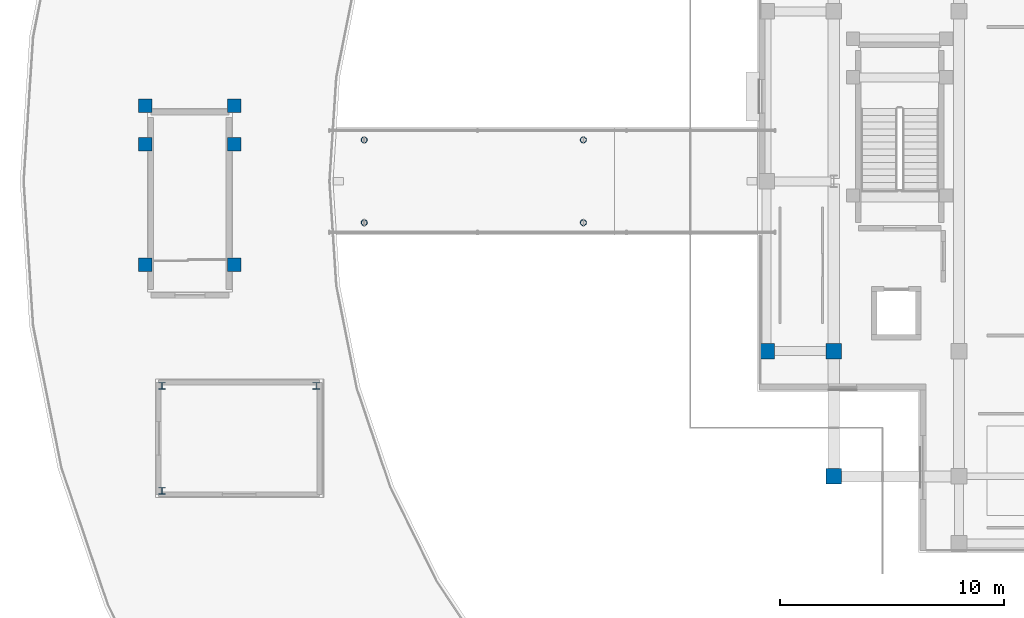
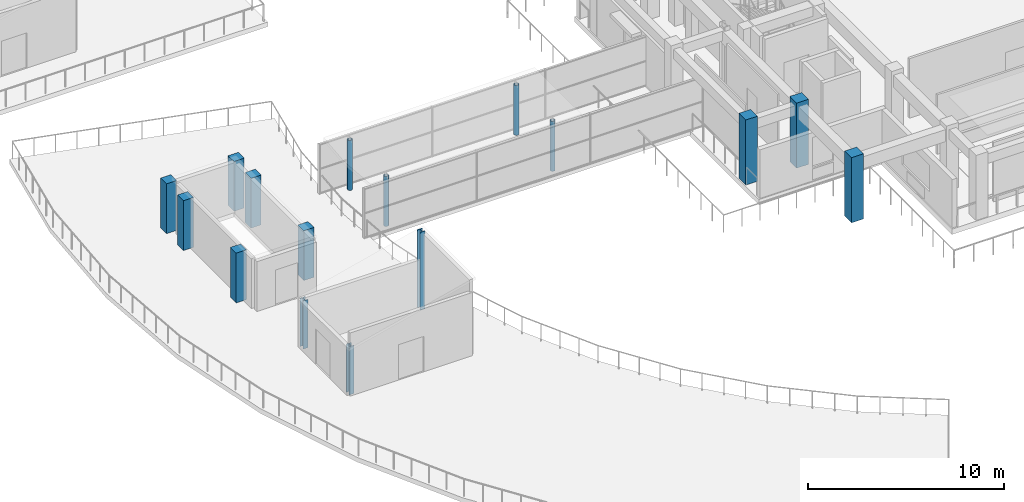
# One storey, part 2 of 53: 16 columns.
"""IFC4 building model written with IfcOpenShell, lengths in metres."""

from ifc_helpers import new_model, si_unit, direction, frame, origin, origin_2d, place, context, subcontext, project, spatial, rectangle, hollow_circle, i_section, extrude, material, material_profile, profile_set, type_object, element, save


model = new_model("IFC4")

# Units and contexts
model_context = context("Model", 3, precision=1e-05, world=origin(), true_north=direction((0.0, 1.0)))
body_context = subcontext(model_context, "Body", "Model", "MODEL_VIEW")
ifc_project = project(units=[si_unit("LENGTHUNIT", "METRE"), si_unit("AREAUNIT", "SQUARE_METRE"), si_unit("VOLUMEUNIT", "CUBIC_METRE"), si_unit("PLANEANGLEUNIT", "RADIAN"), si_unit("MASSUNIT", "GRAM", prefix="KILO")], contexts=[model_context])

# Site, building, storey
site_placement = place(None, origin())
site = spatial("IfcSite", under=ifc_project, at=site_placement, CompositionType="ELEMENT")
building_placement = place(site_placement, origin())
building = spatial("IfcBuilding", under=site, at=building_placement, Name="Saryqyr Civic Hall", CompositionType="ELEMENT")
storey_placement = place(building_placement, frame((0.0, 0.0, 21.300048828125)))
storey = spatial("IfcBuildingStorey", under=building, at=storey_placement, Name="L05", CompositionType="ELEMENT", Elevation=21.300048828125)

# Columns
ifc_material_1 = material(Name="Steel S355", Category="steel")
ifc_material_profile_1 = material_profile(ifc_material_1, hollow_circle(Radius=0.136474609375, WallThickness=0.01611328125, at=origin_2d()), Name="CHS 273x16")
ifc_profile_set_1 = profile_set([ifc_material_profile_1], Name="Steel S355")
column_type_1 = type_object("IfcColumnType", Name="STR-COL-CHS273-S355", PredefinedType="COLUMN", material=ifc_profile_set_1)
for number, where, z_axis, x_axis, name in (
    (1, (22.800048828125, 82.14990234375, 0.0), (0.0, 0.0, 1.0), (1.0, 0.0, 0.0), "Column BRCOL-BR-CW-1-L05"),
    (2, (32.60009765625, 82.14990234375, 0.0), (0.0, 0.0, 1.0), (1.0, 0.0, 0.0), "Column BRCOL-BR-CW-2-L05"),
    (3, (32.60009765625, 85.85009765625, 0.0), (0.0, 0.0, 1.0), (1.0, 0.0, 0.0), "Column BRCOL-BR-CW-3-L05"),
    (4, (22.800048828125, 85.85009765625, 0.0), (0.0, 0.0, 1.0), (1.0, 0.0, 0.0), "Column BRCOL-BR-CW-4-L05"),
):
    element("IfcColumn", number, at=place(storey_placement, frame(where, z_axis=z_axis, x_axis=x_axis)), inside=storey, type_object=column_type_1, Name=name, PredefinedType="COLUMN", context=body_context, shape_type="SweptSolid", body=[
        extrude(hollow_circle(Radius=0.136474609375, WallThickness=0.01611328125, at=origin_2d()), origin(), (0.0, 0.0, 1.0), 3.099853515625),
    ])
ifc_material_profile_2 = material_profile(ifc_material_1, i_section(OverallWidth=0.300048828125, OverallDepth=0.2900390625, WebThickness=0.008544921875, FlangeThickness=0.013916015625, at=origin_2d()), Name="HEA 300")
ifc_profile_set_2 = profile_set([ifc_material_profile_2], Name="Steel S355")
column_type_2 = type_object("IfcColumnType", Name="STR-COL-HEA300-S355", PredefinedType="COLUMN", material=ifc_profile_set_2)
column_1_placement = place(storey_placement, frame((13.75, 70.14990234375, 0.0), z_axis=(0.0, 0.0, 1.0), x_axis=(1.0, 0.0, 0.0)))
element("IfcColumn", 5, at=column_1_placement, inside=storey, type_object=column_type_2, Name="Column RGV4-COL-1-L05", PredefinedType="COLUMN", context=body_context, shape_type="SweptSolid", body=[
    extrude(i_section(OverallWidth=0.300048828125, OverallDepth=0.2900390625, WebThickness=0.008544921875, FlangeThickness=0.013916015625, at=origin_2d()), origin(), (0.0, 0.0, 1.0), 3.0),
])
column_2_placement = place(storey_placement, frame((20.64990234375, 74.85009765625, 0.0), z_axis=(0.0, 0.0, 1.0), x_axis=(1.0, 0.0, 0.0)))
element("IfcColumn", 6, at=column_2_placement, inside=storey, type_object=column_type_2, Name="Column RGV4-COL-3-L05", PredefinedType="COLUMN", context=body_context, shape_type="SweptSolid", body=[
    extrude(i_section(OverallWidth=0.300048828125, OverallDepth=0.2900390625, WebThickness=0.008544921875, FlangeThickness=0.013916015625, at=origin_2d()), origin(), (0.0, 0.0, 1.0), 4.862060546875),
])
column_3_placement = place(storey_placement, frame((13.75, 74.85009765625, 0.0), z_axis=(0.0, 0.0, 1.0), x_axis=(1.0, 0.0, 0.0)))
element("IfcColumn", 7, at=column_3_placement, inside=storey, type_object=column_type_2, Name="Column RGV4-COL-4-L05", PredefinedType="COLUMN", context=body_context, shape_type="SweptSolid", body=[
    extrude(i_section(OverallWidth=0.300048828125, OverallDepth=0.2900390625, WebThickness=0.008544921875, FlangeThickness=0.013916015625, at=origin_2d()), origin(), (0.0, 0.0, 1.0), 3.0),
])
ifc_material_2 = material(Name="Concrete C40/50", Category="concrete")
ifc_material_profile_3 = material_profile(ifc_material_2, rectangle(XDim=0.60009765625, YDim=0.60009765625, at=origin_2d()), Name="RC 600x600")
ifc_profile_set_3 = profile_set([ifc_material_profile_3], Name="Concrete C40/50")
column_type_3 = type_object("IfcColumnType", Name="STR-COL-RC600-C40", PredefinedType="COLUMN", material=ifc_profile_set_3)
for number, where, z_axis, x_axis, name in (
    (8, (16.989990234375, 80.264892578125, 0.0), (0.0, 0.0, 1.0), (1.0, 0.0, 0.0), "Column ST-4-SCOL-TRMA-L05"),
    (9, (13.010009765625, 80.264892578125, 0.0), (0.0, 0.0, 1.0), (1.0, 0.0, 0.0), "Column ST-4-SCOL-TRMB-L05"),
    (10, (16.989990234375, 85.64990234375, 0.0), (0.0, 0.0, 1.0), (1.0, 0.0, 0.0), "Column ST-4-SCOL-LND1A-L05"),
    (11, (13.010009765625, 85.64990234375, 0.0), (0.0, 0.0, 1.0), (1.0, 0.0, 0.0), "Column ST-4-SCOL-LND1B-L05"),
    (12, (16.989990234375, 87.3798828125, 0.0), (0.0, 0.0, 1.0), (1.0, 0.0, 0.0), "Column ST-4-SCOL-LND2A-L05"),
    (13, (13.010009765625, 87.3798828125, 0.0), (0.0, 0.0, 1.0), (1.0, 0.0, 0.0), "Column ST-4-SCOL-LND2B-L05"),
):
    element("IfcColumn", number, at=place(storey_placement, frame(where, z_axis=z_axis, x_axis=x_axis)), inside=storey, type_object=column_type_3, Name=name, PredefinedType="COLUMN", context=body_context, shape_type="SweptSolid", body=[
        extrude(rectangle(XDim=0.60009765625, YDim=0.60009765625, at=origin_2d()), origin(), (0.0, 0.0, 1.0), 3.099853515625),
    ])
ifc_material_profile_4 = material_profile(ifc_material_2, rectangle(XDim=0.699951171875, YDim=0.699951171875, at=origin_2d()), Name="RC 700x700")
ifc_profile_set_4 = profile_set([ifc_material_profile_4], Name="Concrete C40/50")
column_type_4 = type_object("IfcColumnType", Name="STR-COL-RC700-C40", PredefinedType="COLUMN", material=ifc_profile_set_4)
for number, where, z_axis, x_axis, name in (
    (14, (43.800048828125, 70.800048828125, 0.0), (0.0, 0.0, 1.0), (1.0, 0.0, 0.0), "Column V1-COL-C11-L05"),
    (15, (43.800048828125, 76.39990234375, 0.0), (0.0, 0.0, 1.0), (1.0, 0.0, 0.0), "Column V1-COL-C12-L05"),
    (16, (40.800048828125, 76.39990234375, 0.0), (0.0, 0.0, 1.0), (1.0, 0.0, 0.0), "Column V1-COL-S3P01-L05"),
):
    element("IfcColumn", number, at=place(storey_placement, frame(where, z_axis=z_axis, x_axis=x_axis)), inside=storey, type_object=column_type_4, Name=name, PredefinedType="COLUMN", context=body_context, shape_type="SweptSolid", body=[
        extrude(rectangle(XDim=0.699951171875, YDim=0.699951171875, at=origin_2d()), origin(), (0.0, 0.0, 1.0), 4.050048828125),
    ])

save(model, "model.ifc")
